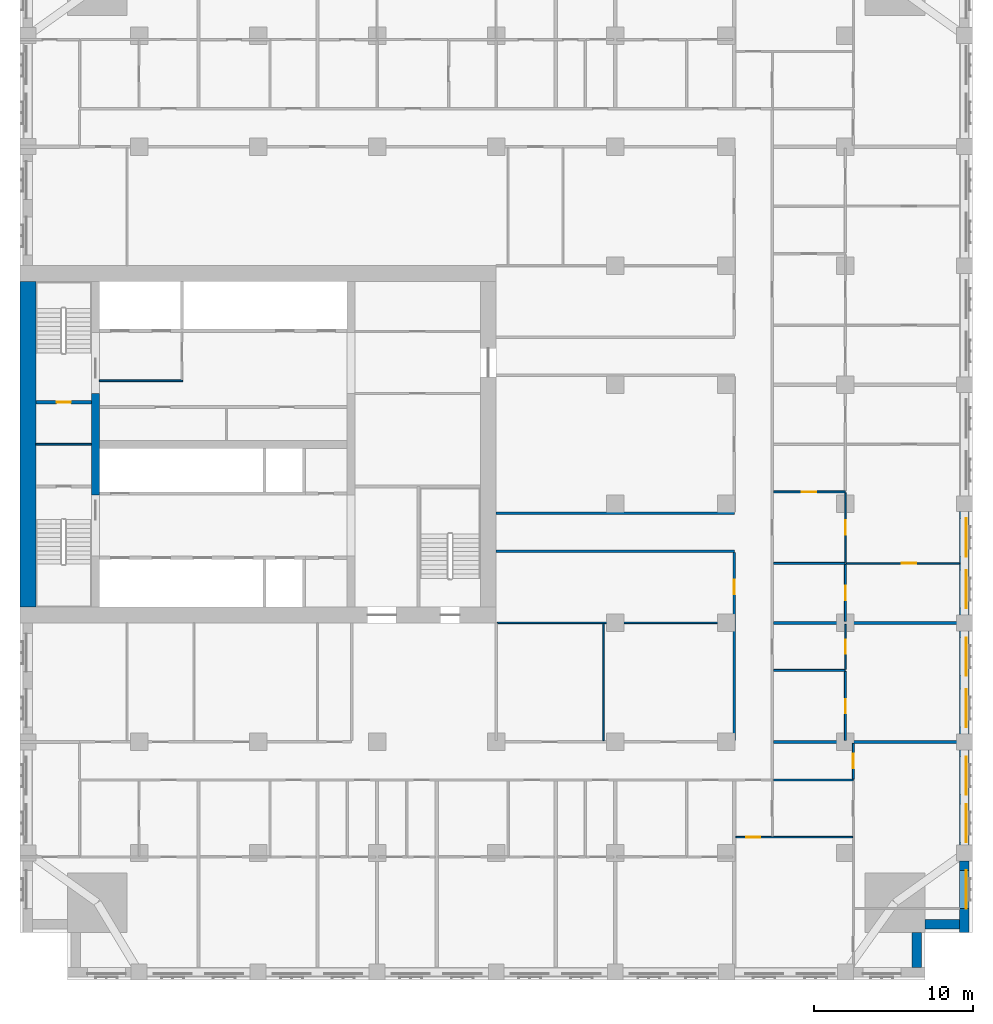
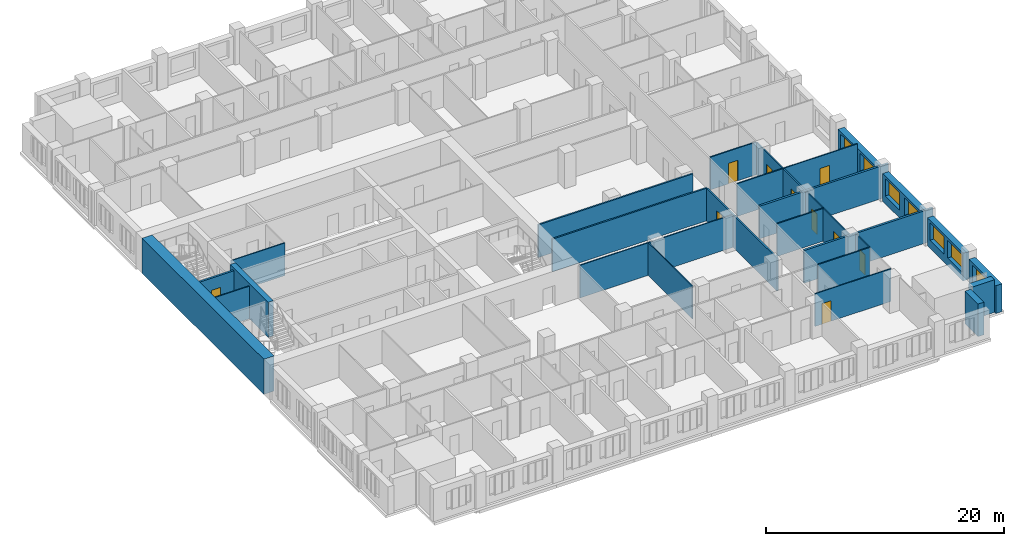
# One storey, part 7 of 14: 29 walls, 10 doors, 7 windows, 17 openings.
"""IFC4 building model written with IfcOpenShell, lengths in metres."""

from ifc_helpers import new_model, si_unit, direction, frame, frame_2d, origin, place, context, subcontext, project, spatial, rectangle, extrude, material, layer, layer_set, type_object, element, fill, save


model = new_model("IFC4")

# Units and contexts
model_context = context("Model", 3, precision=1e-05, world=origin(), true_north=direction((0.0, 1.0)))
body_context = subcontext(model_context, "Body", "Model", "MODEL_VIEW")
ifc_project = project(units=[si_unit("LENGTHUNIT", "METRE"), si_unit("AREAUNIT", "SQUARE_METRE"), si_unit("VOLUMEUNIT", "CUBIC_METRE"), si_unit("PLANEANGLEUNIT", "RADIAN"), si_unit("MASSUNIT", "GRAM", prefix="KILO")], contexts=[model_context])

# Site, building, storey
site_placement = place(None, origin())
site = spatial("IfcSite", under=ifc_project, at=site_placement, CompositionType="ELEMENT")
building_placement = place(site_placement, origin())
building = spatial("IfcBuilding", under=site, at=building_placement, Name="Tamorin Gate", CompositionType="ELEMENT")
storey_placement = place(building_placement, frame((0.0, 0.0, 89.89990234375)))
storey = spatial("IfcBuildingStorey", under=building, at=storey_placement, Name="L21", CompositionType="ELEMENT", Elevation=89.89990234375)

# Walls
ifc_material_1 = material(Name="Precast concrete C40/50", Category="concrete")
ifc_layer_1 = layer(ifc_material_1, 0.60009765625)
ifc_layer_set_1 = layer_set([ifc_layer_1], Name="Precast concrete C40/50")
wall_type_1 = type_object("IfcWallType", Name="Board-marked concrete facade panel 600", PredefinedType="SOLIDWALL", material=ifc_layer_set_1)
for number, where, z_axis, x_axis, name in (
    (1, (86.5, 38.300048828125, 0.0), (0.0, 0.0, 1.0), (0.0, 1.0, 0.0), "Facade panel"),
    (2, (87.0, 41.0, 0.0), (0.0, 0.0, 1.0), (1.0, 0.0, 0.0), "Facade panel"),
):
    element("IfcWall", number, at=place(storey_placement, frame(where, z_axis=z_axis, x_axis=x_axis)), inside=storey, type_object=wall_type_1, Name=name, PredefinedType="SOLIDWALL", context=body_context, shape_type="SweptSolid", body=[
        extrude(rectangle(XDim=2.199951171875, YDim=0.60009765625, at=frame_2d((1.10009765625, 0.0))), origin(), (0.0, 0.0, 1.0), 3.35009765625),
    ])

# Wall, opening, window
wall_1_placement = place(storey_placement, frame((89.5, 40.5, 0.0), z_axis=(0.0, 0.0, 1.0), x_axis=(0.0, 1.0, 0.0)))
wall_1 = element("IfcWall", 3, at=wall_1_placement, inside=storey, type_object=wall_type_1, Name="Facade panel", PredefinedType="SOLIDWALL", context=body_context, shape_type="SweptSolid", body=[
    extrude(rectangle(XDim=4.5, YDim=0.60009765625, at=frame_2d((2.25, 0.0))), origin(), (0.0, 0.0, 1.0), 2.85009765625),
])
opening_1_placement = place(wall_1_placement, frame((1.5, 0.0, 0.800048828125)))
opening_1 = element("IfcOpeningElement", 4, at=opening_1_placement, cuts=wall_1, Name="Opening WN1", PredefinedType="OPENING", context=body_context, shape_type="SweptSolid", body=[
    extrude(rectangle(XDim=2.39990234375, YDim=1.800048828125, at=frame_2d((1.199951171875, 0.89990234375))), frame((0.0, 0.31005859375, 0.0), z_axis=(0.0, -1.0, 0.0), x_axis=(1.0, 0.0, 0.0)), (0.0, 0.0, 1.0), 0.6201171875),
])
ifc_material_2 = material(Name="Clear glass in aluminium frame", Category="aluminium")
window_type = type_object("IfcWindowType", Name="Deep-set window 2400x1800", PartitioningType="SINGLE_PANEL", PredefinedType="WINDOW", material=ifc_material_2)
window_1_placement = place(opening_1_placement, origin())
window_1 = element("IfcWindow", 5, at=window_1_placement, inside=storey, type_object=window_type, Name="Deep-set window", OverallHeight=1.800048828125, OverallWidth=2.39990234375, PartitioningType="SINGLE_PANEL", PredefinedType="WINDOW", context=body_context, shape_type="SweptSolid", body=[
    extrude(rectangle(XDim=2.39990234375, YDim=1.800048828125, at=frame_2d((1.199951171875, 0.89990234375))), frame((0.0, -0.070068359375, 0.0), z_axis=(0.0, -1.0, 0.0), x_axis=(1.0, 0.0, 0.0)), (0.0, 0.0, 1.0), 0.06005859375),
])
fill(opening_1, window_1)

# Wall, openings, windows
wall_2_placement = place(storey_placement, frame((89.5, 46.0, 0.0), z_axis=(0.0, 0.0, 1.0), x_axis=(0.0, 1.0, 0.0)))
wall_2 = element("IfcWall", 6, at=wall_2_placement, inside=storey, type_object=wall_type_1, Name="Facade panel", PredefinedType="SOLIDWALL", context=body_context, shape_type="SweptSolid", body=[
    extrude(rectangle(XDim=6.0, YDim=0.60009765625, at=frame_2d((3.0, 0.0))), origin(), (0.0, 0.0, 1.0), 2.85009765625),
])
opening_2_placement = place(wall_2_placement, frame((0.175048828125, 0.0, 0.800048828125)))
opening_2 = element("IfcOpeningElement", 7, at=opening_2_placement, cuts=wall_2, Name="Opening WN1", PredefinedType="OPENING", context=body_context, shape_type="SweptSolid", body=[
    extrude(rectangle(XDim=2.39990234375, YDim=1.800048828125, at=frame_2d((1.199951171875, 0.89990234375))), frame((0.0, 0.31005859375, 0.0), z_axis=(0.0, -1.0, 0.0), x_axis=(1.0, 0.0, 0.0)), (0.0, 0.0, 1.0), 0.6201171875),
])
opening_3_placement = place(wall_2_placement, frame((3.175048828125, 0.0, 0.800048828125)))
opening_3 = element("IfcOpeningElement", 8, at=opening_3_placement, cuts=wall_2, Name="Opening WN1", PredefinedType="OPENING", context=body_context, shape_type="SweptSolid", body=[
    extrude(rectangle(XDim=2.39990234375, YDim=1.800048828125, at=frame_2d((1.199951171875, 0.89990234375))), frame((0.0, 0.31005859375, 0.0), z_axis=(0.0, -1.0, 0.0), x_axis=(1.0, 0.0, 0.0)), (0.0, 0.0, 1.0), 0.6201171875),
])
window_2_placement = place(opening_2_placement, origin())
window_2 = element("IfcWindow", 9, at=window_2_placement, inside=storey, type_object=window_type, Name="Deep-set window", OverallHeight=1.800048828125, OverallWidth=2.39990234375, PartitioningType="SINGLE_PANEL", PredefinedType="WINDOW", context=body_context, shape_type="SweptSolid", body=[
    extrude(rectangle(XDim=2.39990234375, YDim=1.800048828125, at=frame_2d((1.199951171875, 0.89990234375))), frame((0.0, -0.070068359375, 0.0), z_axis=(0.0, -1.0, 0.0), x_axis=(1.0, 0.0, 0.0)), (0.0, 0.0, 1.0), 0.06005859375),
])
fill(opening_2, window_2)
window_3_placement = place(opening_3_placement, origin())
window_3 = element("IfcWindow", 10, at=window_3_placement, inside=storey, type_object=window_type, Name="Deep-set window", OverallHeight=1.800048828125, OverallWidth=2.39990234375, PartitioningType="SINGLE_PANEL", PredefinedType="WINDOW", context=body_context, shape_type="SweptSolid", body=[
    extrude(rectangle(XDim=2.39990234375, YDim=1.800048828125, at=frame_2d((1.199951171875, 0.89990234375))), frame((0.0, -0.070068359375, 0.0), z_axis=(0.0, -1.0, 0.0), x_axis=(1.0, 0.0, 0.0)), (0.0, 0.0, 1.0), 0.06005859375),
])
fill(opening_3, window_3)

wall_3_placement = place(storey_placement, frame((89.5, 53.0, 0.0), z_axis=(0.0, 0.0, 1.0), x_axis=(0.0, 1.0, 0.0)))
wall_3 = element("IfcWall", 11, at=wall_3_placement, inside=storey, type_object=wall_type_1, Name="Facade panel", PredefinedType="SOLIDWALL", context=body_context, shape_type="SweptSolid", body=[
    extrude(rectangle(XDim=6.5, YDim=0.60009765625, at=frame_2d((3.25, 0.0))), origin(), (0.0, 0.0, 1.0), 2.85009765625),
])
opening_4_placement = place(wall_3_placement, frame((0.425048828125, 0.0, 0.800048828125)))
opening_4 = element("IfcOpeningElement", 12, at=opening_4_placement, cuts=wall_3, Name="Opening WN1", PredefinedType="OPENING", context=body_context, shape_type="SweptSolid", body=[
    extrude(rectangle(XDim=2.39990234375, YDim=1.800048828125, at=frame_2d((1.199951171875, 0.89990234375))), frame((0.0, 0.31005859375, 0.0), z_axis=(0.0, -1.0, 0.0), x_axis=(1.0, 0.0, 0.0)), (0.0, 0.0, 1.0), 0.6201171875),
])
opening_5_placement = place(wall_3_placement, frame((3.675048828125, 0.0, 0.800048828125)))
opening_5 = element("IfcOpeningElement", 13, at=opening_5_placement, cuts=wall_3, Name="Opening WN1", PredefinedType="OPENING", context=body_context, shape_type="SweptSolid", body=[
    extrude(rectangle(XDim=2.39990234375, YDim=1.800048828125, at=frame_2d((1.199951171875, 0.89990234375))), frame((0.0, 0.31005859375, 0.0), z_axis=(0.0, -1.0, 0.0), x_axis=(1.0, 0.0, 0.0)), (0.0, 0.0, 1.0), 0.6201171875),
])
window_4_placement = place(opening_4_placement, origin())
window_4 = element("IfcWindow", 14, at=window_4_placement, inside=storey, type_object=window_type, Name="Deep-set window", OverallHeight=1.800048828125, OverallWidth=2.39990234375, PartitioningType="SINGLE_PANEL", PredefinedType="WINDOW", context=body_context, shape_type="SweptSolid", body=[
    extrude(rectangle(XDim=2.39990234375, YDim=1.800048828125, at=frame_2d((1.199951171875, 0.89990234375))), frame((0.0, -0.070068359375, 0.0), z_axis=(0.0, -1.0, 0.0), x_axis=(1.0, 0.0, 0.0)), (0.0, 0.0, 1.0), 0.06005859375),
])
fill(opening_4, window_4)
window_5_placement = place(opening_5_placement, origin())
window_5 = element("IfcWindow", 15, at=window_5_placement, inside=storey, type_object=window_type, Name="Deep-set window", OverallHeight=1.800048828125, OverallWidth=2.39990234375, PartitioningType="SINGLE_PANEL", PredefinedType="WINDOW", context=body_context, shape_type="SweptSolid", body=[
    extrude(rectangle(XDim=2.39990234375, YDim=1.800048828125, at=frame_2d((1.199951171875, 0.89990234375))), frame((0.0, -0.070068359375, 0.0), z_axis=(0.0, -1.0, 0.0), x_axis=(1.0, 0.0, 0.0)), (0.0, 0.0, 1.0), 0.06005859375),
])
fill(opening_5, window_5)

wall_4_placement = place(storey_placement, frame((89.5, 60.5, 0.0), z_axis=(0.0, 0.0, 1.0), x_axis=(0.0, 1.0, 0.0)))
wall_4 = element("IfcWall", 16, at=wall_4_placement, inside=storey, type_object=wall_type_1, Name="Facade panel", PredefinedType="SOLIDWALL", context=body_context, shape_type="SweptSolid", body=[
    extrude(rectangle(XDim=6.5, YDim=0.60009765625, at=frame_2d((3.25, 0.0))), origin(), (0.0, 0.0, 1.0), 2.85009765625),
])
opening_6_placement = place(wall_4_placement, frame((0.425048828125, 0.0, 0.800048828125)))
opening_6 = element("IfcOpeningElement", 17, at=opening_6_placement, cuts=wall_4, Name="Opening WN1", PredefinedType="OPENING", context=body_context, shape_type="SweptSolid", body=[
    extrude(rectangle(XDim=2.39990234375, YDim=1.800048828125, at=frame_2d((1.199951171875, 0.89990234375))), frame((0.0, 0.31005859375, 0.0), z_axis=(0.0, -1.0, 0.0), x_axis=(1.0, 0.0, 0.0)), (0.0, 0.0, 1.0), 0.6201171875),
])
opening_7_placement = place(wall_4_placement, frame((3.675048828125, 0.0, 0.800048828125)))
opening_7 = element("IfcOpeningElement", 18, at=opening_7_placement, cuts=wall_4, Name="Opening WN1", PredefinedType="OPENING", context=body_context, shape_type="SweptSolid", body=[
    extrude(rectangle(XDim=2.39990234375, YDim=1.800048828125, at=frame_2d((1.199951171875, 0.89990234375))), frame((0.0, 0.31005859375, 0.0), z_axis=(0.0, -1.0, 0.0), x_axis=(1.0, 0.0, 0.0)), (0.0, 0.0, 1.0), 0.6201171875),
])
window_6_placement = place(opening_6_placement, origin())
window_6 = element("IfcWindow", 19, at=window_6_placement, inside=storey, type_object=window_type, Name="Deep-set window", OverallHeight=1.800048828125, OverallWidth=2.39990234375, PartitioningType="SINGLE_PANEL", PredefinedType="WINDOW", context=body_context, shape_type="SweptSolid", body=[
    extrude(rectangle(XDim=2.39990234375, YDim=1.800048828125, at=frame_2d((1.199951171875, 0.89990234375))), frame((0.0, -0.070068359375, 0.0), z_axis=(0.0, -1.0, 0.0), x_axis=(1.0, 0.0, 0.0)), (0.0, 0.0, 1.0), 0.06005859375),
])
fill(opening_6, window_6)
window_7_placement = place(opening_7_placement, origin())
window_7 = element("IfcWindow", 20, at=window_7_placement, inside=storey, type_object=window_type, Name="Deep-set window", OverallHeight=1.800048828125, OverallWidth=2.39990234375, PartitioningType="SINGLE_PANEL", PredefinedType="WINDOW", context=body_context, shape_type="SweptSolid", body=[
    extrude(rectangle(XDim=2.39990234375, YDim=1.800048828125, at=frame_2d((1.199951171875, 0.89990234375))), frame((0.0, -0.070068359375, 0.0), z_axis=(0.0, -1.0, 0.0), x_axis=(1.0, 0.0, 0.0)), (0.0, 0.0, 1.0), 0.06005859375),
])
fill(opening_7, window_7)

# Wall, opening, door
ifc_material_3 = material(Name="Gypsum board partition")
ifc_layer_2 = layer(ifc_material_3, 0.14990234375)
ifc_layer_set_2 = layer_set([ifc_layer_2], Name="Corridor wall 150")
wall_type_2 = type_object("IfcWallType", Name="Corridor wall 150", PredefinedType="PARTITIONING", material=ifc_layer_set_2)
wall_5_placement = place(storey_placement, frame((75.0, 52.574951171875, 0.0), z_axis=(0.0, 0.0, 1.0), x_axis=(0.0, 1.0, 0.0)))
wall_5 = element("IfcWall", 21, at=wall_5_placement, inside=storey, type_object=wall_type_2, Name="Corridor wall 150", PredefinedType="PARTITIONING", context=body_context, shape_type="SweptSolid", body=[
    extrude(rectangle(XDim=11.85009765625, YDim=0.14990234375, at=frame_2d((5.925048828125, 0.0))), origin(), (0.0, 0.0, 1.0), 3.35009765625),
])
opening_8_placement = place(wall_5_placement, frame((9.22509765625, 0.0, 0.0)))
opening_8 = element("IfcOpeningElement", 22, at=opening_8_placement, cuts=wall_5, Name="Opening DH8082", PredefinedType="OPENING", context=body_context, shape_type="SweptSolid", body=[
    extrude(rectangle(XDim=0.89990234375, YDim=2.10009765625, at=frame_2d((0.449951171875, 1.050048828125))), frame((0.0, 0.0849609375, 0.0), z_axis=(0.0, -1.0, 0.0), x_axis=(1.0, 0.0, 0.0)), (0.0, 0.0, 1.0), 0.169921875),
])
ifc_material_4 = material(Name="Timber door leaf", Category="wood")
door_type_1 = type_object("IfcDoorType", Name="Door 900 x 2100 FD30S", OperationType="NOTDEFINED", PredefinedType="DOOR", material=ifc_material_4)
door_1_placement = place(opening_8_placement, origin())
door_1 = element("IfcDoor", 23, at=door_1_placement, inside=storey, type_object=door_type_1, Name="Door DH8082", OperationType="SINGLE_SWING_LEFT", OverallHeight=2.10009765625, OverallWidth=0.89990234375, PredefinedType="DOOR", context=body_context, shape_type="SweptSolid", body=[
    extrude(rectangle(XDim=0.89990234375, YDim=2.10009765625, at=frame_2d((0.449951171875, 1.050048828125))), frame((0.0, 0.02490234375, 0.0), z_axis=(0.0, -1.0, 0.0), x_axis=(1.0, 0.0, 0.0)), (0.0, 0.0, 1.0), 0.050048828125),
])
fill(opening_8, door_1)

# Walls
ifc_layer_3 = layer(ifc_material_3, 0.199951171875)
ifc_layer_set_3 = layer_set([ifc_layer_3], Name="Demising wall 200")
wall_type_3 = type_object("IfcWallType", Name="Demising wall 200", PredefinedType="PARTITIONING", material=ifc_layer_set_3)
for number, where, z_axis, x_axis, name in (
    (24, (77.47509765625, 52.5, 0.0), (0.0, 0.0, 1.0), (1.0, 0.0, 0.0), "Demising wall 200"),
    (25, (77.47509765625, 60.0, 0.0), (0.0, 0.0, 1.0), (1.0, 0.0, 0.0), "Demising wall 200"),
):
    element("IfcWall", number, at=place(storey_placement, frame(where, z_axis=z_axis, x_axis=x_axis)), inside=storey, type_object=wall_type_3, Name=name, PredefinedType="PARTITIONING", context=body_context, shape_type="SweptSolid", body=[
        extrude(rectangle(XDim=12.52490234375, YDim=0.199951171875, at=frame_2d((6.262451171875, 0.0))), origin(), (0.0, 0.0, 1.0), 3.35009765625),
    ])
ifc_material_5 = material(Name="Fire-rated gypsum board partition")
ifc_layer_4 = layer(ifc_material_5, 0.10009765625)
ifc_layer_set_4 = layer_set([ifc_layer_4], Name="Lobby wall 100 EI 60")
wall_type_4 = type_object("IfcWallType", Name="Lobby wall 100 EI 60", PredefinedType="PARTITIONING", material=ifc_layer_set_4)
wall_6_placement = place(storey_placement, frame((35.0, 75.25, 0.0), z_axis=(0.0, 0.0, 1.0), x_axis=(1.0, 0.0, 0.0)))
element("IfcWall", 26, at=wall_6_placement, inside=storey, type_object=wall_type_4, Name="Firefighting lobby wall", PredefinedType="PARTITIONING", context=body_context, shape_type="SweptSolid", body=[
    extrude(rectangle(XDim=5.25, YDim=0.10009765625, at=frame_2d((2.625, 0.0))), origin(), (0.0, 0.0, 1.0), 3.35009765625),
])
ifc_layer_5 = layer(ifc_material_3, 0.14990234375)
ifc_layer_set_5 = layer_set([ifc_layer_5], Name="Lobby wall 150")
wall_type_5 = type_object("IfcWallType", Name="Lobby wall 150", PredefinedType="PARTITIONING", material=ifc_layer_set_5)
for number, where, z_axis, x_axis, name in (
    (27, (60.0, 64.5, 0.0), (0.0, 0.0, 1.0), (1.0, 0.0, 0.0), "Lobby wall 150"),
    (28, (60.0, 66.89990234375, 0.0), (0.0, 0.0, 1.0), (1.0, 0.0, 0.0), "Lobby wall 150"),
):
    element("IfcWall", number, at=place(storey_placement, frame(where, z_axis=z_axis, x_axis=x_axis)), inside=storey, type_object=wall_type_5, Name=name, PredefinedType="PARTITIONING", context=body_context, shape_type="SweptSolid", body=[
        extrude(rectangle(XDim=15.0, YDim=0.14990234375, at=frame_2d((7.5, 0.0))), origin(), (0.0, 0.0, 1.0), 3.35009765625),
    ])
ifc_material_6 = material(Name="Concrete C80/95", Category="concrete")
ifc_layer_6 = layer(ifc_material_6, 0.5)
ifc_layer_set_6 = layer_set([ifc_layer_6], Name="RC core internal wall 500 C80/95")
wall_type_6 = type_object("IfcWallType", Name="RC core internal wall 500 C80/95", PredefinedType="SHEAR", material=ifc_layer_set_6)
wall_7_placement = place(storey_placement, frame((34.75, 68.050048828125, 0.0), z_axis=(0.0, 0.0, 1.0), x_axis=(0.0, 1.0, 0.0)))
element("IfcWall", 29, at=wall_7_placement, inside=storey, type_object=wall_type_6, Name="Core cross wall L21", PredefinedType="SHEAR", context=body_context, shape_type="SweptSolid", body=[
    extrude(rectangle(XDim=6.39990234375, YDim=0.5, at=frame_2d((3.199951171875, 0.0))), origin(), (0.0, 0.0, 1.0), 3.60009765625),
])
ifc_layer_7 = layer(ifc_material_6, 1.0)
ifc_layer_set_7 = layer_set([ifc_layer_7], Name="RC core wall 1000 C80/95")
wall_type_7 = type_object("IfcWallType", Name="RC core wall 1000 C80/95", PredefinedType="SHEAR", material=ifc_layer_set_7)
wall_8_placement = place(storey_placement, frame((30.5, 61.0, 0.0), z_axis=(0.0, 0.0, 1.0), x_axis=(0.0, 1.0, 0.0)))
element("IfcWall", 30, at=wall_8_placement, inside=storey, type_object=wall_type_7, Name="Core wall L21", PredefinedType="SHEAR", context=body_context, shape_type="SweptSolid", body=[
    extrude(rectangle(XDim=20.5, YDim=1.0, at=frame_2d((10.25, 0.0))), origin(), (0.0, 0.0, 1.0), 3.60009765625),
])
ifc_layer_8 = layer(ifc_material_5, 0.10009765625)
ifc_layer_set_8 = layer_set([ifc_layer_8], Name="Riser partition 100 EI 120")
wall_type_8 = type_object("IfcWallType", Name="Riser partition 100 EI 120", PredefinedType="PARTITIONING", material=ifc_layer_set_8)
wall_9_placement = place(storey_placement, frame((31.0, 71.25, 0.0), z_axis=(0.0, 0.0, 1.0), x_axis=(1.0, 0.0, 0.0)))
element("IfcWall", 31, at=wall_9_placement, inside=storey, type_object=wall_type_8, Name="Riser partition", PredefinedType="PARTITIONING", context=body_context, shape_type="SweptSolid", body=[
    extrude(rectangle(XDim=3.5, YDim=0.10009765625, at=frame_2d((1.75, 0.0))), origin(), (0.0, 0.0, 1.0), 3.35009765625),
])

# Wall, opening, door
ifc_layer_9 = layer(ifc_material_3, 0.10009765625)
ifc_layer_set_9 = layer_set([ifc_layer_9], Name="Room partition 100")
wall_type_9 = type_object("IfcWallType", Name="Room partition 100", PredefinedType="PARTITIONING", material=ifc_layer_set_9)
wall_10_placement = place(storey_placement, frame((75.10009765625, 46.5, 0.0), z_axis=(0.0, 0.0, 1.0), x_axis=(1.0, 0.0, 0.0)))
wall_10 = element("IfcWall", 32, at=wall_10_placement, inside=storey, type_object=wall_type_9, Name="Room partition 100", PredefinedType="PARTITIONING", context=body_context, shape_type="SweptSolid", body=[
    extrude(rectangle(XDim=7.349853515625, YDim=0.10009765625, at=frame_2d((3.6748046875, 0.0))), origin(), (0.0, 0.0, 1.0), 3.35009765625),
])
opening_9_placement = place(wall_10_placement, frame((0.64990234375, 0.0, 0.0)))
opening_9 = element("IfcOpeningElement", 33, at=opening_9_placement, cuts=wall_10, Name="Opening DH8061", PredefinedType="OPENING", context=body_context, shape_type="SweptSolid", body=[
    extrude(rectangle(XDim=0.89990234375, YDim=2.10009765625, at=frame_2d((0.449951171875, 1.050048828125))), frame((0.0, 0.06005859375, 0.0), z_axis=(0.0, -1.0, 0.0), x_axis=(1.0, 0.0, 0.0)), (0.0, 0.0, 1.0), 0.1201171875),
])
door_type_2 = type_object("IfcDoorType", Name="Door 900 x 2100", OperationType="NOTDEFINED", PredefinedType="DOOR", material=ifc_material_4)
door_2_placement = place(opening_9_placement, origin())
door_2 = element("IfcDoor", 34, at=door_2_placement, inside=storey, type_object=door_type_2, Name="Door DH8061", OperationType="SINGLE_SWING_RIGHT", OverallHeight=2.10009765625, OverallWidth=0.89990234375, PredefinedType="DOOR", context=body_context, shape_type="SweptSolid", body=[
    extrude(rectangle(XDim=0.89990234375, YDim=2.10009765625, at=frame_2d((0.449951171875, 1.050048828125))), frame((0.0, 0.02490234375, 0.0), z_axis=(0.0, -1.0, 0.0), x_axis=(1.0, 0.0, 0.0)), (0.0, 0.0, 1.0), 0.050048828125),
])
fill(opening_9, door_2)

# Wall
wall_11_placement = place(storey_placement, frame((60.074951171875, 60.0, 0.0), z_axis=(0.0, 0.0, 1.0), x_axis=(1.0, 0.0, 0.0)))
element("IfcWall", 35, at=wall_11_placement, inside=storey, type_object=wall_type_9, Name="Room partition 100", PredefinedType="PARTITIONING", context=body_context, shape_type="SweptSolid", body=[
    extrude(rectangle(XDim=14.85009765625, YDim=0.10009765625, at=frame_2d((7.425048828125, 0.0))), origin(), (0.0, 0.0, 1.0), 3.35009765625),
])

# Wall, opening, door
wall_12_placement = place(storey_placement, frame((82.0625, 63.75, 0.0), z_axis=(0.0, 0.0, 1.0), x_axis=(1.0, 0.0, 0.0)))
wall_12 = element("IfcWall", 36, at=wall_12_placement, inside=storey, type_object=wall_type_9, Name="Room partition 100", PredefinedType="PARTITIONING", context=body_context, shape_type="SweptSolid", body=[
    extrude(rectangle(XDim=7.12744140625, YDim=0.10009765625, at=frame_2d((3.563720703125, 0.0))), origin(), (0.0, 0.0, 1.0), 3.35009765625),
])
opening_10_placement = place(wall_12_placement, frame((3.487548828125, 0.0, 0.0)))
opening_10 = element("IfcOpeningElement", 37, at=opening_10_placement, cuts=wall_12, Name="Opening DH8051", PredefinedType="OPENING", context=body_context, shape_type="SweptSolid", body=[
    extrude(rectangle(XDim=0.89990234375, YDim=2.10009765625, at=frame_2d((0.449951171875, 1.050048828125))), frame((0.0, 0.06005859375, 0.0), z_axis=(0.0, -1.0, 0.0), x_axis=(1.0, 0.0, 0.0)), (0.0, 0.0, 1.0), 0.1201171875),
])
door_3_placement = place(opening_10_placement, origin())
door_3 = element("IfcDoor", 38, at=door_3_placement, inside=storey, type_object=door_type_2, Name="Door DH8051", OperationType="SINGLE_SWING_RIGHT", OverallHeight=2.10009765625, OverallWidth=0.89990234375, PredefinedType="DOOR", context=body_context, shape_type="SweptSolid", body=[
    extrude(rectangle(XDim=0.89990234375, YDim=2.10009765625, at=frame_2d((0.449951171875, 1.050048828125))), frame((0.0, 0.02490234375, 0.0), z_axis=(0.0, -1.0, 0.0), x_axis=(1.0, 0.0, 0.0)), (0.0, 0.0, 1.0), 0.050048828125),
])
fill(opening_10, door_3)

# Wall
wall_13_placement = place(storey_placement, frame((66.75, 52.574951171875, 0.0), z_axis=(0.0, 0.0, 1.0), x_axis=(0.0, 1.0, 0.0)))
element("IfcWall", 39, at=wall_13_placement, inside=storey, type_object=wall_type_9, Name="Room partition 100", PredefinedType="PARTITIONING", context=body_context, shape_type="SweptSolid", body=[
    extrude(rectangle(XDim=7.375, YDim=0.10009765625, at=frame_2d((3.6875, 0.0))), origin(), (0.0, 0.0, 1.0), 3.35009765625),
])

# Wall, opening, door
wall_14_placement = place(storey_placement, frame((82.0, 57.0625, 0.0), z_axis=(0.0, 0.0, 1.0), x_axis=(0.0, 1.0, 0.0)))
wall_14 = element("IfcWall", 40, at=wall_14_placement, inside=storey, type_object=wall_type_9, Name="Room partition 100", PredefinedType="PARTITIONING", context=body_context, shape_type="SweptSolid", body=[
    extrude(rectangle(XDim=2.83740234375, YDim=0.10009765625, at=frame_2d((1.418701171875, 0.0))), origin(), (0.0, 0.0, 1.0), 3.35009765625),
])
opening_11_placement = place(wall_14_placement, frame((0.987548828125, 0.0, 0.0)))
opening_11 = element("IfcOpeningElement", 41, at=opening_11_placement, cuts=wall_14, Name="Opening DH8045", PredefinedType="OPENING", context=body_context, shape_type="SweptSolid", body=[
    extrude(rectangle(XDim=0.89990234375, YDim=2.10009765625, at=frame_2d((0.449951171875, 1.050048828125))), frame((0.0, 0.06005859375, 0.0), z_axis=(0.0, -1.0, 0.0), x_axis=(1.0, 0.0, 0.0)), (0.0, 0.0, 1.0), 0.1201171875),
])
door_4_placement = place(opening_11_placement, origin())
door_4 = element("IfcDoor", 42, at=door_4_placement, inside=storey, type_object=door_type_2, Name="Door DH8045", OperationType="SINGLE_SWING_LEFT", OverallHeight=2.10009765625, OverallWidth=0.89990234375, PredefinedType="DOOR", context=body_context, shape_type="SweptSolid", body=[
    extrude(rectangle(XDim=0.89990234375, YDim=2.10009765625, at=frame_2d((0.449951171875, 1.050048828125))), frame((0.0, 0.02490234375, 0.0), z_axis=(0.0, -1.0, 0.0), x_axis=(1.0, 0.0, 0.0)), (0.0, 0.0, 1.0), 0.050048828125),
])
fill(opening_11, door_4)

wall_15_placement = place(storey_placement, frame((82.0, 63.8125, 0.0), z_axis=(0.0, 0.0, 1.0), x_axis=(0.0, 1.0, 0.0)))
wall_15 = element("IfcWall", 43, at=wall_15_placement, inside=storey, type_object=wall_type_9, Name="Room partition 100", PredefinedType="PARTITIONING", context=body_context, shape_type="SweptSolid", body=[
    extrude(rectangle(XDim=4.375, YDim=0.10009765625, at=frame_2d((2.1875, 0.0))), origin(), (0.0, 0.0, 1.0), 3.35009765625),
])
opening_12_placement = place(wall_15_placement, frame((1.737548828125, 0.0, 0.0)))
opening_12 = element("IfcOpeningElement", 44, at=opening_12_placement, cuts=wall_15, Name="Opening DH8048", PredefinedType="OPENING", context=body_context, shape_type="SweptSolid", body=[
    extrude(rectangle(XDim=0.89990234375, YDim=2.10009765625, at=frame_2d((0.449951171875, 1.050048828125))), frame((0.0, 0.06005859375, 0.0), z_axis=(0.0, -1.0, 0.0), x_axis=(1.0, 0.0, 0.0)), (0.0, 0.0, 1.0), 0.1201171875),
])
door_5_placement = place(opening_12_placement, origin())
door_5 = element("IfcDoor", 45, at=door_5_placement, inside=storey, type_object=door_type_2, Name="Door DH8048", OperationType="SINGLE_SWING_LEFT", OverallHeight=2.10009765625, OverallWidth=0.89990234375, PredefinedType="DOOR", context=body_context, shape_type="SweptSolid", body=[
    extrude(rectangle(XDim=0.89990234375, YDim=2.10009765625, at=frame_2d((0.449951171875, 1.050048828125))), frame((0.0, 0.02490234375, 0.0), z_axis=(0.0, -1.0, 0.0), x_axis=(1.0, 0.0, 0.0)), (0.0, 0.0, 1.0), 0.050048828125),
])
fill(opening_12, door_5)

ifc_material_7 = material(Name="Concrete C40/50", Category="concrete")
ifc_layer_10 = layer(ifc_material_7, 0.199951171875)
ifc_layer_set_10 = layer_set([ifc_layer_10], Name="Stair enclosure wall 200 EI 120 C40/50")
wall_type_10 = type_object("IfcWallType", Name="Stair enclosure wall 200 EI 120 C40/50", PredefinedType="SOLIDWALL", material=ifc_layer_set_10)
wall_16_placement = place(storey_placement, frame((31.0, 73.89990234375, 0.0), z_axis=(0.0, 0.0, 1.0), x_axis=(1.0, 0.0, 0.0)))
wall_16 = element("IfcWall", 46, at=wall_16_placement, inside=storey, type_object=wall_type_10, Name="Stair enclosure wall", PredefinedType="SOLIDWALL", context=body_context, shape_type="SweptSolid", body=[
    extrude(rectangle(XDim=3.5, YDim=0.199951171875, at=frame_2d((1.75, 0.0))), origin(), (0.0, 0.0, 1.0), 3.35009765625),
])
opening_13_placement = place(wall_16_placement, frame((1.300048828125, 0.0, 0.0)))
opening_13 = element("IfcOpeningElement", 47, at=opening_13_placement, cuts=wall_16, Name="Opening DR1", PredefinedType="OPENING", context=body_context, shape_type="SweptSolid", body=[
    extrude(rectangle(XDim=0.89990234375, YDim=2.10009765625, at=frame_2d((0.449951171875, 1.050048828125))), frame((0.0, 0.10986328125, 0.0), z_axis=(0.0, -1.0, 0.0), x_axis=(1.0, 0.0, 0.0)), (0.0, 0.0, 1.0), 0.219970703125),
])
ifc_material_8 = material(Name="Steel fire door", Category="steel")
door_type_3 = type_object("IfcDoorType", Name="Riser access door 900 x 2100 EI 120", OperationType="SINGLE_SWING_LEFT", PredefinedType="DOOR", material=ifc_material_8)
door_6_placement = place(opening_13_placement, origin())
door_6 = element("IfcDoor", 48, at=door_6_placement, inside=storey, type_object=door_type_3, Name="Communications riser door", OperationType="SINGLE_SWING_RIGHT", OverallHeight=2.10009765625, OverallWidth=0.89990234375, PredefinedType="DOOR", context=body_context, shape_type="SweptSolid", body=[
    extrude(rectangle(XDim=0.89990234375, YDim=2.10009765625, at=frame_2d((0.449951171875, 1.050048828125))), frame((0.0, 0.02490234375, 0.0), z_axis=(0.0, -1.0, 0.0), x_axis=(1.0, 0.0, 0.0)), (0.0, 0.0, 1.0), 0.050048828125),
])
fill(opening_13, door_6)

# Walls
ifc_layer_11 = layer(ifc_material_3, 0.125)
ifc_layer_set_11 = layer_set([ifc_layer_11], Name="Wet wall 125")
wall_type_11 = type_object("IfcWallType", Name="Wet wall 125", PredefinedType="PARTITIONING", material=ifc_layer_set_11)
wall_17_placement = place(storey_placement, frame((77.47509765625, 50.10009765625, 0.0), z_axis=(0.0, 0.0, 1.0), x_axis=(1.0, 0.0, 0.0)))
element("IfcWall", 49, at=wall_17_placement, inside=storey, type_object=wall_type_11, Name="Wet wall 125", PredefinedType="PARTITIONING", context=body_context, shape_type="SweptSolid", body=[
    extrude(rectangle(XDim=5.02490234375, YDim=0.125, at=frame_2d((2.512451171875, 0.0))), origin(), (0.0, 0.0, 1.0), 3.35009765625),
])
for number, where, z_axis, x_axis, name in (
    (50, (77.47509765625, 57.0, 0.0), (0.0, 0.0, 1.0), (1.0, 0.0, 0.0), "Wet wall 125"),
    (51, (77.47509765625, 63.75, 0.0), (0.0, 0.0, 1.0), (1.0, 0.0, 0.0), "Wet wall 125"),
):
    element("IfcWall", number, at=place(storey_placement, frame(where, z_axis=z_axis, x_axis=x_axis)), inside=storey, type_object=wall_type_11, Name=name, PredefinedType="PARTITIONING", context=body_context, shape_type="SweptSolid", body=[
        extrude(rectangle(XDim=4.52490234375, YDim=0.125, at=frame_2d((2.262451171875, 0.0))), origin(), (0.0, 0.0, 1.0), 3.35009765625),
    ])

# Wall, opening, door
wall_18_placement = place(storey_placement, frame((77.47509765625, 68.25, 0.0), z_axis=(0.0, 0.0, 1.0), x_axis=(1.0, 0.0, 0.0)))
wall_18 = element("IfcWall", 52, at=wall_18_placement, inside=storey, type_object=wall_type_11, Name="Wet wall 125", PredefinedType="PARTITIONING", context=body_context, shape_type="SweptSolid", body=[
    extrude(rectangle(XDim=4.52490234375, YDim=0.125, at=frame_2d((2.262451171875, 0.0))), origin(), (0.0, 0.0, 1.0), 3.35009765625),
])
opening_14_placement = place(wall_18_placement, frame((1.77490234375, 0.0, 0.0)))
opening_14 = element("IfcOpeningElement", 53, at=opening_14_placement, cuts=wall_18, Name="Opening DH8049", PredefinedType="OPENING", context=body_context, shape_type="SweptSolid", body=[
    extrude(rectangle(XDim=0.89990234375, YDim=2.10009765625, at=frame_2d((0.449951171875, 1.050048828125))), frame((0.0, 0.072509765625, 0.0), z_axis=(0.0, -1.0, 0.0), x_axis=(1.0, 0.0, 0.0)), (0.0, 0.0, 1.0), 0.14501953125),
])
door_7_placement = place(opening_14_placement, origin())
door_7 = element("IfcDoor", 54, at=door_7_placement, inside=storey, type_object=door_type_2, Name="Door DH8049", OperationType="SINGLE_SWING_RIGHT", OverallHeight=2.10009765625, OverallWidth=0.89990234375, PredefinedType="DOOR", context=body_context, shape_type="SweptSolid", body=[
    extrude(rectangle(XDim=0.89990234375, YDim=2.10009765625, at=frame_2d((0.449951171875, 1.050048828125))), frame((0.0, 0.02490234375, 0.0), z_axis=(0.0, -1.0, 0.0), x_axis=(1.0, 0.0, 0.0)), (0.0, 0.0, 1.0), 0.050048828125),
])
fill(opening_14, door_7)

wall_19_placement = place(storey_placement, frame((82.0, 52.60009765625, 0.0), z_axis=(0.0, 0.0, 1.0), x_axis=(0.0, 1.0, 0.0)))
wall_19 = element("IfcWall", 55, at=wall_19_placement, inside=storey, type_object=wall_type_11, Name="Wet wall 125", PredefinedType="PARTITIONING", context=body_context, shape_type="SweptSolid", body=[
    extrude(rectangle(XDim=4.33740234375, YDim=0.125, at=frame_2d((2.168701171875, 0.0))), origin(), (0.0, 0.0, 1.0), 3.35009765625),
])
opening_15_placement = place(wall_19_placement, frame((1.699951171875, 0.0, 0.0)))
opening_15 = element("IfcOpeningElement", 56, at=opening_15_placement, cuts=wall_19, Name="Opening DH8043", PredefinedType="OPENING", context=body_context, shape_type="SweptSolid", body=[
    extrude(rectangle(XDim=0.89990234375, YDim=2.10009765625, at=frame_2d((0.449951171875, 1.050048828125))), frame((0.0, 0.072509765625, 0.0), z_axis=(0.0, -1.0, 0.0), x_axis=(1.0, 0.0, 0.0)), (0.0, 0.0, 1.0), 0.14501953125),
])
door_8_placement = place(opening_15_placement, origin())
door_8 = element("IfcDoor", 57, at=door_8_placement, inside=storey, type_object=door_type_2, Name="Door DH8043", OperationType="SINGLE_SWING_LEFT", OverallHeight=2.10009765625, OverallWidth=0.89990234375, PredefinedType="DOOR", context=body_context, shape_type="SweptSolid", body=[
    extrude(rectangle(XDim=0.89990234375, YDim=2.10009765625, at=frame_2d((0.449951171875, 1.050048828125))), frame((0.0, 0.02490234375, 0.0), z_axis=(0.0, -1.0, 0.0), x_axis=(1.0, 0.0, 0.0)), (0.0, 0.0, 1.0), 0.050048828125),
])
fill(opening_15, door_8)

wall_20_placement = place(storey_placement, frame((82.0, 60.10009765625, 0.0), z_axis=(0.0, 0.0, 1.0), x_axis=(0.0, 1.0, 0.0)))
wall_20 = element("IfcWall", 58, at=wall_20_placement, inside=storey, type_object=wall_type_11, Name="Wet wall 125", PredefinedType="PARTITIONING", context=body_context, shape_type="SweptSolid", body=[
    extrude(rectangle(XDim=3.58740234375, YDim=0.125, at=frame_2d((1.793701171875, 0.0))), origin(), (0.0, 0.0, 1.0), 3.35009765625),
])
opening_16_placement = place(wall_20_placement, frame((1.324951171875, 0.0, 0.0)))
opening_16 = element("IfcOpeningElement", 59, at=opening_16_placement, cuts=wall_20, Name="Opening DH8046", PredefinedType="OPENING", context=body_context, shape_type="SweptSolid", body=[
    extrude(rectangle(XDim=0.89990234375, YDim=2.10009765625, at=frame_2d((0.449951171875, 1.050048828125))), frame((0.0, 0.072509765625, 0.0), z_axis=(0.0, -1.0, 0.0), x_axis=(1.0, 0.0, 0.0)), (0.0, 0.0, 1.0), 0.14501953125),
])
door_9_placement = place(opening_16_placement, origin())
door_9 = element("IfcDoor", 60, at=door_9_placement, inside=storey, type_object=door_type_2, Name="Door DH8046", OperationType="SINGLE_SWING_LEFT", OverallHeight=2.10009765625, OverallWidth=0.89990234375, PredefinedType="DOOR", context=body_context, shape_type="SweptSolid", body=[
    extrude(rectangle(XDim=0.89990234375, YDim=2.10009765625, at=frame_2d((0.449951171875, 1.050048828125))), frame((0.0, 0.02490234375, 0.0), z_axis=(0.0, -1.0, 0.0), x_axis=(1.0, 0.0, 0.0)), (0.0, 0.0, 1.0), 0.050048828125),
])
fill(opening_16, door_9)

wall_21_placement = place(storey_placement, frame((82.5, 50.16259765625, 0.0), z_axis=(0.0, 0.0, 1.0), x_axis=(0.0, 1.0, 0.0)))
wall_21 = element("IfcWall", 61, at=wall_21_placement, inside=storey, type_object=wall_type_11, Name="Wet wall 125", PredefinedType="PARTITIONING", context=body_context, shape_type="SweptSolid", body=[
    extrude(rectangle(XDim=2.2373046875, YDim=0.125, at=frame_2d((1.11865234375, 0.0))), origin(), (0.0, 0.0, 1.0), 3.35009765625),
])
opening_17_placement = place(wall_21_placement, frame((0.6875, 0.0, 0.0)))
opening_17 = element("IfcOpeningElement", 62, at=opening_17_placement, cuts=wall_21, Name="Opening DH8065", PredefinedType="OPENING", context=body_context, shape_type="SweptSolid", body=[
    extrude(rectangle(XDim=0.89990234375, YDim=2.10009765625, at=frame_2d((0.449951171875, 1.050048828125))), frame((0.0, 0.072509765625, 0.0), z_axis=(0.0, -1.0, 0.0), x_axis=(1.0, 0.0, 0.0)), (0.0, 0.0, 1.0), 0.14501953125),
])
door_10_placement = place(opening_17_placement, origin())
door_10 = element("IfcDoor", 63, at=door_10_placement, inside=storey, type_object=door_type_2, Name="Door DH8065", OperationType="SINGLE_SWING_LEFT", OverallHeight=2.10009765625, OverallWidth=0.89990234375, PredefinedType="DOOR", context=body_context, shape_type="SweptSolid", body=[
    extrude(rectangle(XDim=0.89990234375, YDim=2.10009765625, at=frame_2d((0.449951171875, 1.050048828125))), frame((0.0, 0.02490234375, 0.0), z_axis=(0.0, -1.0, 0.0), x_axis=(1.0, 0.0, 0.0)), (0.0, 0.0, 1.0), 0.050048828125),
])
fill(opening_17, door_10)

save(model, "model.ifc")
